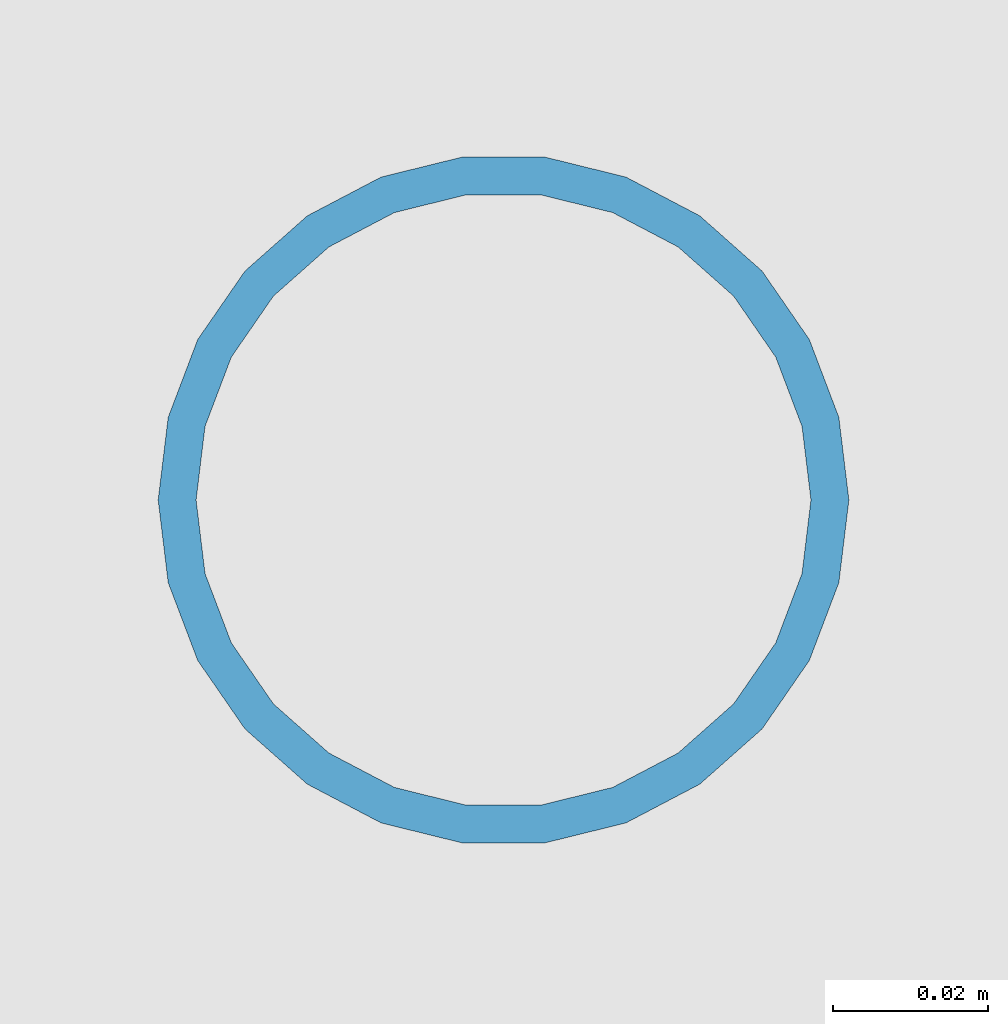
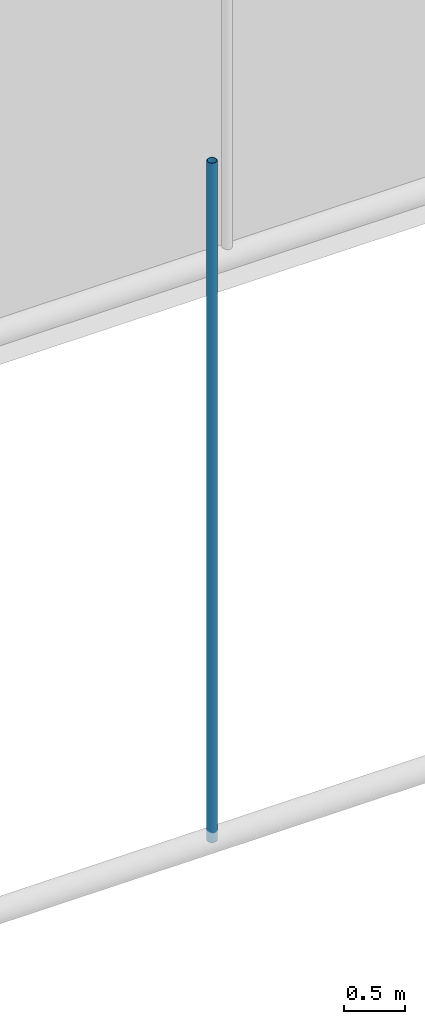
# One storey, part 16 of 101: 1 member.
"""IFC4 building model written with IfcOpenShell, lengths in metres."""

from ifc_helpers import new_model, si_unit, direction, frame, origin, origin_2d, place, context, subcontext, project, spatial, hollow_circle, extrude, material, material_profile, profile_set, type_object, element, save


model = new_model("IFC4")

# Units and contexts
model_context = context("Model", 3, precision=1e-05, world=origin(), true_north=direction((0.0, 1.0)))
body_context = subcontext(model_context, "Body", "Model", "MODEL_VIEW")
ifc_project = project(units=[si_unit("LENGTHUNIT", "METRE"), si_unit("AREAUNIT", "SQUARE_METRE"), si_unit("VOLUMEUNIT", "CUBIC_METRE"), si_unit("PLANEANGLEUNIT", "RADIAN"), si_unit("MASSUNIT", "GRAM", prefix="KILO")], contexts=[model_context])

# Site, building, storey
site_placement = place(None, origin())
site = spatial("IfcSite", under=ifc_project, at=site_placement, CompositionType="ELEMENT")
building_placement = place(site_placement, origin())
building = spatial("IfcBuilding", under=site, at=building_placement, Name="Laocheng Heights Fire and Rescue Headquarters", CompositionType="ELEMENT")
storey_placement = place(building_placement, frame((0.0, 0.0, 8.39990234375)))
storey = spatial("IfcBuildingStorey", under=building, at=storey_placement, Name="L02", CompositionType="ELEMENT", Elevation=8.39990234375)

# Member
ifc_material = material(Name="Steel Q355B", Category="steel")
ifc_material_profile = material_profile(ifc_material, hollow_circle(Radius=0.04443359375, WallThickness=0.0048828125, at=origin_2d()), Name="CHS 88.9x5")
ifc_profile_set = profile_set([ifc_material_profile], Name="Steel Q355B")
member_type = type_object("IfcMemberType", Name="BAY ROOF HANGER CHS 88.9x5", PredefinedType="POST", material=ifc_profile_set)
member_placement = place(storey_placement, frame((31.699951171875, 14.39990234375, 0.0), z_axis=(0.0, 0.0, 1.0), x_axis=(1.0, 0.0, 0.0)))
element("IfcMember", 1, at=member_placement, inside=storey, type_object=member_type, Name="Truss TR3 hanger 06", PredefinedType="POST", context=body_context, shape_type="SweptSolid", body=[
    extrude(hollow_circle(Radius=0.04443359375, WallThickness=0.0048828125, at=origin_2d()), origin(), (0.0, 0.0, 1.0), 6.843017578125),
])

save(model, "model.ifc")
